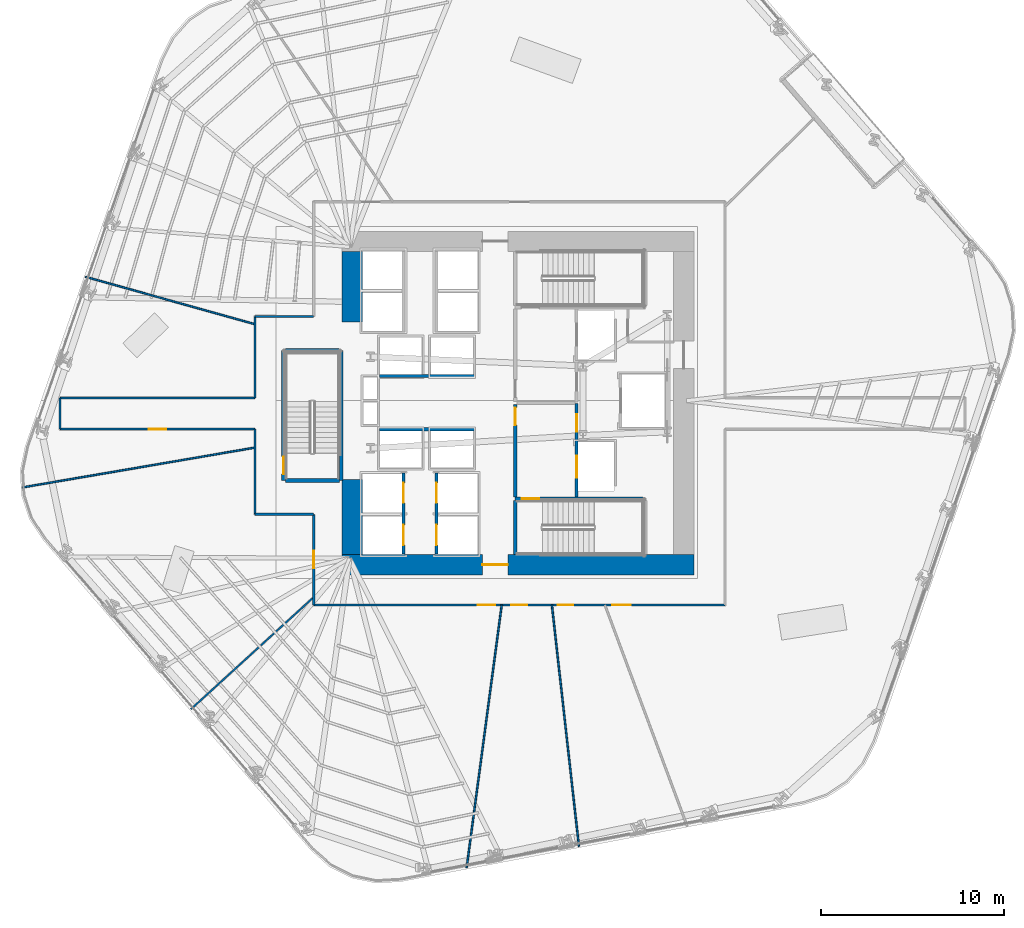
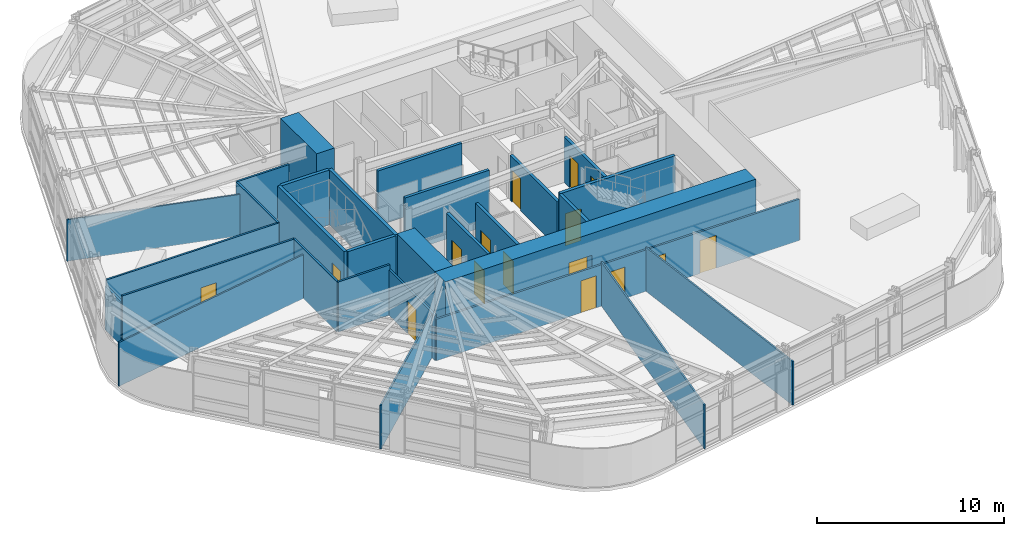
# One storey, part 9 of 18: 29 walls, 16 doors, 16 openings.
"""IFC4 building model written with IfcOpenShell, lengths in metres."""

from ifc_helpers import new_model, si_unit, direction, frame, frame_2d, origin, place, context, subcontext, project, spatial, rectangle, extrude, material, layer, layer_set, type_object, element, fill, save


model = new_model("IFC4")

# Units and contexts
model_context = context("Model", 3, precision=1e-05, world=origin(), true_north=direction((0.0, 1.0)))
body_context = subcontext(model_context, "Body", "Model", "MODEL_VIEW")
ifc_project = project(units=[si_unit("LENGTHUNIT", "METRE"), si_unit("AREAUNIT", "SQUARE_METRE"), si_unit("VOLUMEUNIT", "CUBIC_METRE"), si_unit("PLANEANGLEUNIT", "RADIAN"), si_unit("MASSUNIT", "GRAM", prefix="KILO")], contexts=[model_context])

# Site, building, storey
site_placement = place(None, origin())
site = spatial("IfcSite", under=ifc_project, at=site_placement, CompositionType="ELEMENT")
building_placement = place(site_placement, origin())
building = spatial("IfcBuilding", under=site, at=building_placement, Name="Valkerne Bourse Tower", CompositionType="ELEMENT")
storey_placement = place(building_placement, frame((0.0, 0.0, 69.60009765625)))
storey = spatial("IfcBuildingStorey", under=building, at=storey_placement, Name="L17", CompositionType="ELEMENT", Elevation=69.60009765625)

# Wall, opening, door
ifc_material_1 = material(Name="Concrete C70/85", Category="concrete")
ifc_layer_1 = layer(ifc_material_1, 1.10009765625)
ifc_layer_set_1 = layer_set([ifc_layer_1], Name="Concrete C70/85")
wall_type_1 = type_object("IfcWallType", Name="W-CORE-1100", PredefinedType="SHEAR", material=ifc_layer_set_1)
wall_1_placement = place(storey_placement, frame((37.199951171875, 18.050048828125, 0.0), z_axis=(0.0, 0.0, 1.0), x_axis=(1.0, 0.0, 0.0)))
wall_1 = element("IfcWall", 1, at=wall_1_placement, inside=storey, type_object=wall_type_1, Name="L17 Core Shear Wall SOUTH", PredefinedType="SHEAR", context=body_context, shape_type="SweptSolid", body=[
    extrude(rectangle(XDim=19.199951171875, YDim=1.10009765625, at=frame_2d((9.60009765625, 0.0))), origin(), (0.0, 0.0, 1.0), 3.579833984375),
])
opening_1_placement = place(wall_1_placement, frame((7.64990234375, 0.0, 0.0)))
opening_1 = element("IfcOpeningElement", 2, at=opening_1_placement, cuts=wall_1, Name="Opening D-PL-1400", PredefinedType="OPENING", context=body_context, shape_type="SweptSolid", body=[
    extrude(rectangle(XDim=1.39990234375, YDim=2.14990234375, at=frame_2d((0.699951171875, 1.074951171875))), frame((0.0, 0.56005859375, 0.0), z_axis=(0.0, -1.0, 0.0), x_axis=(1.0, 0.0, 0.0)), (0.0, 0.0, 1.0), 1.1201171875),
])
ifc_material_2 = material(Name="Galvanised Painted Steel", Category="steel")
door_type_1 = type_object("IfcDoorType", Name="DR-PLT-1400", OperationType="DOUBLE_DOOR_SINGLE_SWING", PredefinedType="DOOR", material=ifc_material_2)
door_1_placement = place(opening_1_placement, origin())
door_1 = element("IfcDoor", 3, at=door_1_placement, inside=storey, type_object=door_type_1, Name="L17 South Passenger Lift Hall Fire Door", OperationType="DOUBLE_DOOR_SINGLE_SWING", OverallHeight=2.14990234375, OverallWidth=1.39990234375, PredefinedType="DOOR", context=body_context, shape_type="SweptSolid", body=[
    extrude(rectangle(XDim=1.39990234375, YDim=2.14990234375, at=frame_2d((0.699951171875, 1.074951171875))), frame((0.0, 0.02490234375, 0.0), z_axis=(0.0, -1.0, 0.0), x_axis=(1.0, 0.0, 0.0)), (0.0, 0.0, 1.0), 0.050048828125),
])
fill(opening_1, door_1)

# Walls
wall_2_placement = place(storey_placement, frame((37.75, 18.60009765625, 0.0), z_axis=(0.0, 0.0, 1.0), x_axis=(0.0, 1.0, 0.0)))
element("IfcWall", 4, at=wall_2_placement, inside=storey, type_object=wall_type_1, Name="L17 Core Shear Wall WEST-S", PredefinedType="SHEAR", context=body_context, shape_type="SweptSolid", body=[
    extrude(rectangle(XDim=4.099853515625, YDim=1.10009765625, at=frame_2d((2.0498046875, 0.0))), origin(), (0.0, 0.0, 1.0), 3.579833984375),
])
wall_3_placement = place(storey_placement, frame((37.75, 31.300048828125, 0.0), z_axis=(0.0, 0.0, 1.0), x_axis=(0.0, 1.0, 0.0)))
element("IfcWall", 5, at=wall_3_placement, inside=storey, type_object=wall_type_1, Name="L17 Core Shear Wall WEST-N", PredefinedType="SHEAR", context=body_context, shape_type="SweptSolid", body=[
    extrude(rectangle(XDim=3.849853515625, YDim=1.10009765625, at=frame_2d((1.9248046875, 0.0))), origin(), (0.0, 0.0, 1.0), 3.579833984375),
])

# Wall, openings, doors
ifc_material_3 = material(Name="Gypsum Board Steel-Stud Partition", Category="steel")
ifc_layer_2 = layer(ifc_material_3, 0.117919921875)
ifc_layer_set_2 = layer_set([ifc_layer_2], Name="Gypsum Board Steel-Stud Partition")
wall_type_2 = type_object("IfcWallType", Name="W-CORR-140", PredefinedType="PARTITIONING", material=ifc_layer_set_2)
wall_4_placement = place(storey_placement, frame((58.10009765625, 15.85009765625, 0.0), z_axis=(0.0, 0.0, 1.0), x_axis=(-1.0, 0.0, 0.0)))
wall_4 = element("IfcWall", 6, at=wall_4_placement, inside=storey, type_object=wall_type_2, Name="L17 Corridor Enclosure Wall", PredefinedType="PARTITIONING", context=body_context, shape_type="SweptSolid", body=[
    extrude(rectangle(XDim=22.4501953125, YDim=0.117919921875, at=frame_2d((11.22509765625, 0.0))), origin(), (0.0, 0.0, 1.0), 2.71142578125),
])
opening_2_placement = place(wall_4_placement, frame((8.27490234375, 0.0, 0.0)))
opening_2 = element("IfcOpeningElement", 7, at=opening_2_placement, cuts=wall_4, Name="Opening D-WC-900", PredefinedType="OPENING", context=body_context, shape_type="SweptSolid", body=[
    extrude(rectangle(XDim=0.860107421875, YDim=2.050048828125, at=frame_2d((0.43017578125, 1.02490234375))), frame((0.0, 0.06884765625, 0.0), z_axis=(0.0, -1.0, 0.0), x_axis=(1.0, 0.0, 0.0)), (0.0, 0.0, 1.0), 0.137939453125),
])
opening_3_placement = place(wall_4_placement, frame((10.794921875, 0.0, 0.0)))
opening_3 = element("IfcOpeningElement", 8, at=opening_3_placement, cuts=wall_4, Name="Opening D-WC-900", PredefinedType="OPENING", context=body_context, shape_type="SweptSolid", body=[
    extrude(rectangle(XDim=0.860107421875, YDim=2.050048828125, at=frame_2d((0.43017578125, 1.02490234375))), frame((0.0, 0.06884765625, 0.0), z_axis=(0.0, -1.0, 0.0), x_axis=(1.0, 0.0, 0.0)), (0.0, 0.0, 1.0), 0.137939453125),
])
opening_4_placement = place(wall_4_placement, frame((12.550048828125, 0.0, 0.0)))
opening_4 = element("IfcOpeningElement", 9, at=opening_4_placement, cuts=wall_4, Name="Opening D-OF-950", PredefinedType="OPENING", context=body_context, shape_type="SweptSolid", body=[
    extrude(rectangle(XDim=0.949951171875, YDim=2.10009765625, at=frame_2d((0.47509765625, 1.050048828125))), frame((0.0, 0.06884765625, 0.0), z_axis=(0.0, -1.0, 0.0), x_axis=(1.0, 0.0, 0.0)), (0.0, 0.0, 1.0), 0.137939453125),
])
opening_5_placement = place(wall_4_placement, frame((5.14501953125, 0.0, 0.0)))
opening_5 = element("IfcOpeningElement", 10, at=opening_5_placement, cuts=wall_4, Name="Opening D-MG-1000", PredefinedType="OPENING", context=body_context, shape_type="SweptSolid", body=[
    extrude(rectangle(XDim=1.0, YDim=2.14990234375, at=frame_2d((0.5, 1.074951171875))), frame((0.0, 0.06884765625, 0.0), z_axis=(0.0, -1.0, 0.0), x_axis=(1.0, 0.0, 0.0)), (0.0, 0.0, 1.0), 0.137939453125),
])
ifc_material_4 = material(Name="Laminated Tempered Safety Glass", Category="glass")
door_type_2 = type_object("IfcDoorType", Name="DR-MTG-1000", OperationType="NOTDEFINED", PredefinedType="DOOR", material=ifc_material_4)
door_2_placement = place(opening_5_placement, origin())
door_2 = element("IfcDoor", 11, at=door_2_placement, inside=storey, type_object=door_type_2, Name="L17 L17 Client Strategy Conference Room 8 Door", OperationType="SINGLE_SWING_LEFT", OverallHeight=2.14990234375, OverallWidth=1.0, PredefinedType="DOOR", context=body_context, shape_type="SweptSolid", body=[
    extrude(rectangle(XDim=1.0, YDim=2.14990234375, at=frame_2d((0.5, 1.074951171875))), frame((0.0, 0.02490234375, 0.0), z_axis=(0.0, -1.0, 0.0), x_axis=(1.0, 0.0, 0.0)), (0.0, 0.0, 1.0), 0.050048828125),
])
fill(opening_5, door_2)
ifc_material_5 = material(Name="Architectural White Oak Timber", Category="wood")
door_type_3 = type_object("IfcDoorType", Name="DR-OFF-950", OperationType="NOTDEFINED", PredefinedType="DOOR", material=ifc_material_5)
door_3_placement = place(opening_4_placement, origin())
door_3 = element("IfcDoor", 12, at=door_3_placement, inside=storey, type_object=door_type_3, Name="L17 L17 Hospitality Catering Kitchen 6 Door", OperationType="SINGLE_SWING_LEFT", OverallHeight=2.10009765625, OverallWidth=0.949951171875, PredefinedType="DOOR", context=body_context, shape_type="SweptSolid", body=[
    extrude(rectangle(XDim=0.949951171875, YDim=2.10009765625, at=frame_2d((0.47509765625, 1.050048828125))), frame((0.0, 0.02490234375, 0.0), z_axis=(0.0, -1.0, 0.0), x_axis=(1.0, 0.0, 0.0)), (0.0, 0.0, 1.0), 0.050048828125),
])
fill(opening_4, door_3)
door_type_4 = type_object("IfcDoorType", Name="DR-WC-900", OperationType="NOTDEFINED", PredefinedType="DOOR", material=ifc_material_5)
door_4_placement = place(opening_2_placement, origin())
door_4 = element("IfcDoor", 13, at=door_4_placement, inside=storey, type_object=door_type_4, Name="L17 L17 Men Bathroom WC 1 Door", OperationType="SINGLE_SWING_RIGHT", OverallHeight=2.050048828125, OverallWidth=0.860107421875, PredefinedType="DOOR", context=body_context, shape_type="SweptSolid", body=[
    extrude(rectangle(XDim=0.860107421875, YDim=2.050048828125, at=frame_2d((0.43017578125, 1.02490234375))), frame((0.0, 0.02490234375, 0.0), z_axis=(0.0, -1.0, 0.0), x_axis=(1.0, 0.0, 0.0)), (0.0, 0.0, 1.0), 0.050048828125),
])
fill(opening_2, door_4)
door_5_placement = place(opening_3_placement, origin())
door_5 = element("IfcDoor", 14, at=door_5_placement, inside=storey, type_object=door_type_4, Name="L17 L17 Women Restroom & Shower WC 2 Door", OperationType="SINGLE_SWING_LEFT", OverallHeight=2.050048828125, OverallWidth=0.860107421875, PredefinedType="DOOR", context=body_context, shape_type="SweptSolid", body=[
    extrude(rectangle(XDim=0.860107421875, YDim=2.050048828125, at=frame_2d((0.43017578125, 1.02490234375))), frame((0.0, 0.02490234375, 0.0), z_axis=(0.0, -1.0, 0.0), x_axis=(1.0, 0.0, 0.0)), (0.0, 0.0, 1.0), 0.050048828125),
])
fill(opening_3, door_5)

# Wall, opening, door
wall_5_placement = place(storey_placement, frame((35.64990234375, 15.85009765625, 0.0), z_axis=(0.0, 0.0, 1.0), x_axis=(0.0, 1.0, 0.0)))
wall_5 = element("IfcWall", 15, at=wall_5_placement, inside=storey, type_object=wall_type_2, Name="L17 Corridor Enclosure Wall", PredefinedType="PARTITIONING", context=body_context, shape_type="SweptSolid", body=[
    extrude(rectangle(XDim=4.949951171875, YDim=0.117919921875, at=frame_2d((2.47509765625, 0.0))), origin(), (0.0, 0.0, 1.0), 2.962890625),
])
opening_6_placement = place(wall_5_placement, frame((2.0, 0.0, 0.0)))
opening_6 = element("IfcOpeningElement", 16, at=opening_6_placement, cuts=wall_5, Name="Opening D-OF-950", PredefinedType="OPENING", context=body_context, shape_type="SweptSolid", body=[
    extrude(rectangle(XDim=0.949951171875, YDim=2.10009765625, at=frame_2d((0.47509765625, 1.050048828125))), frame((0.0, 0.06884765625, 0.0), z_axis=(0.0, -1.0, 0.0), x_axis=(1.0, 0.0, 0.0)), (0.0, 0.0, 1.0), 0.137939453125),
])
door_6_placement = place(opening_6_placement, origin())
door_6 = element("IfcDoor", 17, at=door_6_placement, inside=storey, type_object=door_type_3, Name="L17 L17 VIP Client Concierge Reception 4 Door", OperationType="SINGLE_SWING_LEFT", OverallHeight=2.10009765625, OverallWidth=0.949951171875, PredefinedType="DOOR", context=body_context, shape_type="SweptSolid", body=[
    extrude(rectangle(XDim=0.949951171875, YDim=2.10009765625, at=frame_2d((0.47509765625, 1.050048828125))), frame((0.0, 0.02490234375, 0.0), z_axis=(0.0, -1.0, 0.0), x_axis=(1.0, 0.0, 0.0)), (0.0, 0.0, 1.0), 0.050048828125),
])
fill(opening_6, door_6)

# Walls
wall_6_placement = place(storey_placement, frame((35.64990234375, 20.800048828125, 0.0), z_axis=(0.0, 0.0, 1.0), x_axis=(-1.0, 0.0, 0.0)))
element("IfcWall", 18, at=wall_6_placement, inside=storey, type_object=wall_type_2, Name="L17 Corridor Enclosure Wall", PredefinedType="PARTITIONING", context=body_context, shape_type="SweptSolid", body=[
    extrude(rectangle(XDim=3.199951171875, YDim=0.117919921875, at=frame_2d((1.60009765625, 0.0))), origin(), (0.0, 0.0, 1.0), 3.27978515625),
])
wall_7_placement = place(storey_placement, frame((32.449951171875, 20.800048828125, 0.0), z_axis=(0.0, 0.0, 1.0), x_axis=(0.0, 1.0, 0.0)))
element("IfcWall", 19, at=wall_7_placement, inside=storey, type_object=wall_type_2, Name="L17 Corridor Enclosure Wall", PredefinedType="PARTITIONING", context=body_context, shape_type="SweptSolid", body=[
    extrude(rectangle(XDim=4.64990234375, YDim=0.117919921875, at=frame_2d((2.324951171875, 0.0))), origin(), (0.0, 0.0, 1.0), 3.27978515625),
])

# Wall, opening, door
wall_8_placement = place(storey_placement, frame((32.449951171875, 25.449951171875, 0.0), z_axis=(0.0, 0.0, 1.0), x_axis=(-1.0, 0.0, 0.0)))
wall_8 = element("IfcWall", 20, at=wall_8_placement, inside=storey, type_object=wall_type_2, Name="L17 Corridor Enclosure Wall", PredefinedType="PARTITIONING", context=body_context, shape_type="SweptSolid", body=[
    extrude(rectangle(XDim=10.64990234375, YDim=0.117919921875, at=frame_2d((5.324951171875, 0.0))), origin(), (0.0, 0.0, 1.0), 3.27978515625),
])
opening_7_placement = place(wall_8_placement, frame((4.85009765625, 0.0, 0.0)))
opening_7 = element("IfcOpeningElement", 21, at=opening_7_placement, cuts=wall_8, Name="Opening D-OF-950", PredefinedType="OPENING", context=body_context, shape_type="SweptSolid", body=[
    extrude(rectangle(XDim=0.949951171875, YDim=2.10009765625, at=frame_2d((0.47509765625, 1.050048828125))), frame((0.0, 0.06884765625, 0.0), z_axis=(0.0, -1.0, 0.0), x_axis=(1.0, 0.0, 0.0)), (0.0, 0.0, 1.0), 0.137939453125),
])
door_7_placement = place(opening_7_placement, origin())
door_7 = element("IfcDoor", 22, at=door_7_placement, inside=storey, type_object=door_type_3, Name="L17 L17 VIP Client Concierge Reception 3 Door", OperationType="SINGLE_SWING_LEFT", OverallHeight=2.10009765625, OverallWidth=0.949951171875, PredefinedType="DOOR", context=body_context, shape_type="SweptSolid", body=[
    extrude(rectangle(XDim=0.949951171875, YDim=2.10009765625, at=frame_2d((0.47509765625, 1.050048828125))), frame((0.0, 0.02490234375, 0.0), z_axis=(0.0, -1.0, 0.0), x_axis=(1.0, 0.0, 0.0)), (0.0, 0.0, 1.0), 0.050048828125),
])
fill(opening_7, door_7)

# Walls
wall_9_placement = place(storey_placement, frame((21.800048828125, 25.449951171875, 0.0), z_axis=(0.0, 0.0, 1.0), x_axis=(0.0, 1.0, 0.0)))
element("IfcWall", 23, at=wall_9_placement, inside=storey, type_object=wall_type_2, Name="L17 Corridor Enclosure Wall", PredefinedType="PARTITIONING", context=body_context, shape_type="SweptSolid", body=[
    extrude(rectangle(XDim=1.699951171875, YDim=0.117919921875, at=frame_2d((0.85009765625, 0.0))), origin(), (0.0, 0.0, 1.0), 2.86376953125),
])
wall_10_placement = place(storey_placement, frame((21.800048828125, 27.14990234375, 0.0), z_axis=(0.0, 0.0, 1.0), x_axis=(1.0, 0.0, 0.0)))
element("IfcWall", 24, at=wall_10_placement, inside=storey, type_object=wall_type_2, Name="L17 Corridor Enclosure Wall", PredefinedType="PARTITIONING", context=body_context, shape_type="SweptSolid", body=[
    extrude(rectangle(XDim=10.64990234375, YDim=0.117919921875, at=frame_2d((5.324951171875, 0.0))), origin(), (0.0, 0.0, 1.0), 3.27978515625),
])
wall_11_placement = place(storey_placement, frame((32.449951171875, 27.14990234375, 0.0), z_axis=(0.0, 0.0, 1.0), x_axis=(0.0, 1.0, 0.0)))
element("IfcWall", 25, at=wall_11_placement, inside=storey, type_object=wall_type_2, Name="L17 Corridor Enclosure Wall", PredefinedType="PARTITIONING", context=body_context, shape_type="SweptSolid", body=[
    extrude(rectangle(XDim=4.4501953125, YDim=0.117919921875, at=frame_2d((2.22509765625, 0.0))), origin(), (0.0, 0.0, 1.0), 3.27978515625),
])
wall_12_placement = place(storey_placement, frame((32.449951171875, 31.60009765625, 0.0), z_axis=(0.0, 0.0, 1.0), x_axis=(1.0, 0.0, 0.0)))
element("IfcWall", 26, at=wall_12_placement, inside=storey, type_object=wall_type_2, Name="L17 Corridor Enclosure Wall", PredefinedType="PARTITIONING", context=body_context, shape_type="SweptSolid", body=[
    extrude(rectangle(XDim=3.199951171875, YDim=0.117919921875, at=frame_2d((1.60009765625, 0.0))), origin(), (0.0, 0.0, 1.0), 3.27978515625),
])

# Wall, opening, door
ifc_material_6 = material(Name="Gypsum Fire-Rated Shaftwall", Category="gypsum")
ifc_layer_3 = layer(ifc_material_6, 0.179931640625)
ifc_layer_set_3 = layer_set([ifc_layer_3], Name="Gypsum Fire-Rated Shaftwall")
wall_type_3 = type_object("IfcWallType", Name="W-FSAE-180", PredefinedType="PARTITIONING", material=ifc_layer_set_3)
wall_13_placement = place(storey_placement, frame((46.64990234375, 21.75, 0.0), z_axis=(0.0, 0.0, 1.0), x_axis=(0.0, 1.0, 0.0)))
wall_13 = element("IfcWall", 27, at=wall_13_placement, inside=storey, type_object=wall_type_3, Name="L17 FSAE-1 Lobby West Fire Wall", PredefinedType="PARTITIONING", context=body_context, shape_type="SweptSolid", body=[
    extrude(rectangle(XDim=5.050048828125, YDim=0.179931640625, at=frame_2d((2.52490234375, 0.0))), origin(), (0.0, 0.0, 1.0), 2.957763671875),
])
opening_8_placement = place(wall_13_placement, frame((3.919921875, 0.0, 0.0)))
opening_8 = element("IfcOpeningElement", 28, at=opening_8_placement, cuts=wall_13, Name="Opening D-FS-950", PredefinedType="OPENING", context=body_context, shape_type="SweptSolid", body=[
    extrude(rectangle(XDim=0.949951171875, YDim=2.10009765625, at=frame_2d((0.47509765625, 1.050048828125))), frame((0.0, 0.099853515625, 0.0), z_axis=(0.0, -1.0, 0.0), x_axis=(1.0, 0.0, 0.0)), (0.0, 0.0, 1.0), 0.199951171875),
])
door_type_5 = type_object("IfcDoorType", Name="DR-FSAE-950", OperationType="NOTDEFINED", PredefinedType="DOOR", material=ifc_material_2)
door_8_placement = place(opening_8_placement, origin())
door_8 = element("IfcDoor", 29, at=door_8_placement, inside=storey, type_object=door_type_5, Name="L17 FSAE-1 Hall Link Fire Door", OperationType="SINGLE_SWING_RIGHT", OverallHeight=2.10009765625, OverallWidth=0.949951171875, PredefinedType="DOOR", context=body_context, shape_type="SweptSolid", body=[
    extrude(rectangle(XDim=0.949951171875, YDim=2.10009765625, at=frame_2d((0.47509765625, 1.050048828125))), frame((0.0, 0.02490234375, 0.0), z_axis=(0.0, -1.0, 0.0), x_axis=(1.0, 0.0, 0.0)), (0.0, 0.0, 1.0), 0.050048828125),
])
fill(opening_8, door_8)

# Wall, openings, doors
wall_14_placement = place(storey_placement, frame((50.0, 21.75, 0.0), z_axis=(0.0, 0.0, 1.0), x_axis=(0.0, 1.0, 0.0)))
wall_14 = element("IfcWall", 30, at=wall_14_placement, inside=storey, type_object=wall_type_3, Name="L17 FSAE-1 Lobby & Shaft Front Wall", PredefinedType="PARTITIONING", context=body_context, shape_type="SweptSolid", body=[
    extrude(rectangle(XDim=5.090087890625, YDim=0.179931640625, at=frame_2d((2.544921875, 0.0))), origin(), (0.0, 0.0, 1.0), 2.957763671875),
])
opening_9_placement = place(wall_14_placement, frame((1.050048828125, 0.0, 0.0)))
opening_9 = element("IfcOpeningElement", 31, at=opening_9_placement, cuts=wall_14, Name="Opening LD-1200", PredefinedType="OPENING", context=body_context, shape_type="SweptSolid", body=[
    extrude(rectangle(XDim=1.199951171875, YDim=2.14990234375, at=frame_2d((0.60009765625, 1.074951171875))), frame((0.0, 0.099853515625, 0.0), z_axis=(0.0, -1.0, 0.0), x_axis=(1.0, 0.0, 0.0)), (0.0, 0.0, 1.0), 0.199951171875),
])
opening_10_placement = place(wall_14_placement, frame((3.550048828125, 0.0, 0.0)))
opening_10 = element("IfcOpeningElement", 32, at=opening_10_placement, cuts=wall_14, Name="Opening D-FS-950", PredefinedType="OPENING", context=body_context, shape_type="SweptSolid", body=[
    extrude(rectangle(XDim=0.949951171875, YDim=2.10009765625, at=frame_2d((0.47509765625, 1.050048828125))), frame((0.0, 0.099853515625, 0.0), z_axis=(0.0, -1.0, 0.0), x_axis=(1.0, 0.0, 0.0)), (0.0, 0.0, 1.0), 0.199951171875),
])
door_9_placement = place(opening_10_placement, origin())
door_9 = element("IfcDoor", 33, at=door_9_placement, inside=storey, type_object=door_type_5, Name="L17 FSAE-1 Lobby Corridor Fire Door", OperationType="SINGLE_SWING_RIGHT", OverallHeight=2.10009765625, OverallWidth=0.949951171875, PredefinedType="DOOR", context=body_context, shape_type="SweptSolid", body=[
    extrude(rectangle(XDim=0.949951171875, YDim=2.10009765625, at=frame_2d((0.47509765625, 1.050048828125))), frame((0.0, 0.02490234375, 0.0), z_axis=(0.0, -1.0, 0.0), x_axis=(1.0, 0.0, 0.0)), (0.0, 0.0, 1.0), 0.050048828125),
])
fill(opening_10, door_9)
ifc_material_7 = material(Name="Stainless Steel AISI 316", Category="steel")
door_type_6 = type_object("IfcDoorType", Name="DR-LIFT-1200", OperationType="DOUBLE_DOOR_SLIDING", PredefinedType="DOOR", material=ifc_material_7)
door_10_placement = place(opening_9_placement, origin())
door_10 = element("IfcDoor", 34, at=door_10_placement, inside=storey, type_object=door_type_6, Name="L17 FSAE-1 Firefighting Lift Landing Door", OperationType="DOUBLE_DOOR_SLIDING", OverallHeight=2.14990234375, OverallWidth=1.199951171875, PredefinedType="DOOR", context=body_context, shape_type="SweptSolid", body=[
    extrude(rectangle(XDim=1.199951171875, YDim=2.14990234375, at=frame_2d((0.60009765625, 1.074951171875))), frame((0.0, 0.02490234375, 0.0), z_axis=(0.0, -1.0, 0.0), x_axis=(1.0, 0.0, 0.0)), (0.0, 0.0, 1.0), 0.050048828125),
])
fill(opening_9, door_10)

ifc_material_8 = material(Name="CMU Blockwork Masonry 200mm", Category="masonry")
ifc_layer_4 = layer(ifc_material_8, 0.179931640625)
ifc_layer_set_4 = layer_set([ifc_layer_4], Name="CMU Blockwork Masonry 200mm")
wall_type_4 = type_object("IfcWallType", Name="W-LFT-180", PredefinedType="SOLIDWALL", material=ifc_layer_set_4)
wall_15_placement = place(storey_placement, frame((40.550048828125, 18.6201171875, 0.0), z_axis=(0.0, 0.0, 1.0), x_axis=(0.0, 1.0, 0.0)))
wall_15 = element("IfcWall", 35, at=wall_15_placement, inside=storey, type_object=wall_type_4, Name="L17 Low-Zone West Cars Front Wall", PredefinedType="SOLIDWALL", context=body_context, shape_type="SweptSolid", body=[
    extrude(rectangle(XDim=4.429931640625, YDim=0.179931640625, at=frame_2d((2.21484375, 0.0))), origin(), (0.0, 0.0, 1.0), 3.579833984375),
])
opening_11_placement = place(wall_15_placement, frame((0.5, 0.0, 0.0)))
opening_11 = element("IfcOpeningElement", 36, at=opening_11_placement, cuts=wall_15, Name="Opening LD-1100", PredefinedType="OPENING", context=body_context, shape_type="SweptSolid", body=[
    extrude(rectangle(XDim=1.10009765625, YDim=2.14990234375, at=frame_2d((0.550048828125, 1.074951171875))), frame((0.0, 0.099853515625, 0.0), z_axis=(0.0, -1.0, 0.0), x_axis=(1.0, 0.0, 0.0)), (0.0, 0.0, 1.0), 0.199951171875),
])
opening_12_placement = place(wall_15_placement, frame((2.800048828125, 0.0, 0.0)))
opening_12 = element("IfcOpeningElement", 37, at=opening_12_placement, cuts=wall_15, Name="Opening LD-1100", PredefinedType="OPENING", context=body_context, shape_type="SweptSolid", body=[
    extrude(rectangle(XDim=1.10009765625, YDim=2.14990234375, at=frame_2d((0.550048828125, 1.074951171875))), frame((0.0, 0.099853515625, 0.0), z_axis=(0.0, -1.0, 0.0), x_axis=(1.0, 0.0, 0.0)), (0.0, 0.0, 1.0), 0.199951171875),
])
door_type_7 = type_object("IfcDoorType", Name="DR-LIFT-1100", OperationType="DOUBLE_DOOR_SLIDING", PredefinedType="DOOR", material=ifc_material_7)
door_11_placement = place(opening_11_placement, origin())
door_11 = element("IfcDoor", 38, at=door_11_placement, inside=storey, type_object=door_type_7, Name="L17 Passenger Lift PL-L1 Sliding Landing Door", OperationType="DOUBLE_DOOR_SLIDING", OverallHeight=2.14990234375, OverallWidth=1.10009765625, PredefinedType="DOOR", context=body_context, shape_type="SweptSolid", body=[
    extrude(rectangle(XDim=1.10009765625, YDim=2.14990234375, at=frame_2d((0.550048828125, 1.074951171875))), frame((0.0, 0.02490234375, 0.0), z_axis=(0.0, -1.0, 0.0), x_axis=(1.0, 0.0, 0.0)), (0.0, 0.0, 1.0), 0.050048828125),
])
fill(opening_11, door_11)
door_12_placement = place(opening_12_placement, origin())
door_12 = element("IfcDoor", 39, at=door_12_placement, inside=storey, type_object=door_type_7, Name="L17 Passenger Lift PL-L2 Sliding Landing Door", OperationType="DOUBLE_DOOR_SLIDING", OverallHeight=2.14990234375, OverallWidth=1.10009765625, PredefinedType="DOOR", context=body_context, shape_type="SweptSolid", body=[
    extrude(rectangle(XDim=1.10009765625, YDim=2.14990234375, at=frame_2d((0.550048828125, 1.074951171875))), frame((0.0, 0.02490234375, 0.0), z_axis=(0.0, -1.0, 0.0), x_axis=(1.0, 0.0, 0.0)), (0.0, 0.0, 1.0), 0.050048828125),
])
fill(opening_12, door_12)

wall_16_placement = place(storey_placement, frame((42.35009765625, 18.6201171875, 0.0), z_axis=(0.0, 0.0, 1.0), x_axis=(0.0, 1.0, 0.0)))
wall_16 = element("IfcWall", 40, at=wall_16_placement, inside=storey, type_object=wall_type_4, Name="L17 Low-Zone East Cars Front Wall", PredefinedType="SOLIDWALL", context=body_context, shape_type="SweptSolid", body=[
    extrude(rectangle(XDim=4.429931640625, YDim=0.179931640625, at=frame_2d((2.21484375, 0.0))), origin(), (0.0, 0.0, 1.0), 3.579833984375),
])
opening_13_placement = place(wall_16_placement, frame((0.5, 0.0, 0.0)))
opening_13 = element("IfcOpeningElement", 41, at=opening_13_placement, cuts=wall_16, Name="Opening LD-1100", PredefinedType="OPENING", context=body_context, shape_type="SweptSolid", body=[
    extrude(rectangle(XDim=1.10009765625, YDim=2.14990234375, at=frame_2d((0.550048828125, 1.074951171875))), frame((0.0, 0.099853515625, 0.0), z_axis=(0.0, -1.0, 0.0), x_axis=(1.0, 0.0, 0.0)), (0.0, 0.0, 1.0), 0.199951171875),
])
opening_14_placement = place(wall_16_placement, frame((2.800048828125, 0.0, 0.0)))
opening_14 = element("IfcOpeningElement", 42, at=opening_14_placement, cuts=wall_16, Name="Opening LD-1100", PredefinedType="OPENING", context=body_context, shape_type="SweptSolid", body=[
    extrude(rectangle(XDim=1.10009765625, YDim=2.14990234375, at=frame_2d((0.550048828125, 1.074951171875))), frame((0.0, 0.099853515625, 0.0), z_axis=(0.0, -1.0, 0.0), x_axis=(1.0, 0.0, 0.0)), (0.0, 0.0, 1.0), 0.199951171875),
])
door_13_placement = place(opening_13_placement, origin())
door_13 = element("IfcDoor", 43, at=door_13_placement, inside=storey, type_object=door_type_7, Name="L17 Passenger Lift PL-L3 Sliding Landing Door", OperationType="DOUBLE_DOOR_SLIDING", OverallHeight=2.14990234375, OverallWidth=1.10009765625, PredefinedType="DOOR", context=body_context, shape_type="SweptSolid", body=[
    extrude(rectangle(XDim=1.10009765625, YDim=2.14990234375, at=frame_2d((0.550048828125, 1.074951171875))), frame((0.0, 0.02490234375, 0.0), z_axis=(0.0, -1.0, 0.0), x_axis=(1.0, 0.0, 0.0)), (0.0, 0.0, 1.0), 0.050048828125),
])
fill(opening_13, door_13)
door_14_placement = place(opening_14_placement, origin())
door_14 = element("IfcDoor", 44, at=door_14_placement, inside=storey, type_object=door_type_7, Name="L17 Passenger Lift PL-L4 Sliding Landing Door", OperationType="DOUBLE_DOOR_SLIDING", OverallHeight=2.14990234375, OverallWidth=1.10009765625, PredefinedType="DOOR", context=body_context, shape_type="SweptSolid", body=[
    extrude(rectangle(XDim=1.10009765625, YDim=2.14990234375, at=frame_2d((0.550048828125, 1.074951171875))), frame((0.0, 0.02490234375, 0.0), z_axis=(0.0, -1.0, 0.0), x_axis=(1.0, 0.0, 0.0)), (0.0, 0.0, 1.0), 0.050048828125),
])
fill(opening_14, door_14)

# Walls
for number, where, z_axis, x_axis, name in (
    (45, (39.25, 25.449951171875, 0.0), (0.0, 0.0, 1.0), (1.0, 0.0, 0.0), "L17 High-Zone South Cars Front Wall"),
    (46, (39.25, 28.35009765625, 0.0), (0.0, 0.0, 1.0), (1.0, 0.0, 0.0), "L17 High-Zone North Cars Front Wall"),
):
    element("IfcWall", number, at=place(storey_placement, frame(where, z_axis=z_axis, x_axis=x_axis)), inside=storey, type_object=wall_type_4, Name=name, PredefinedType="SOLIDWALL", context=body_context, shape_type="SweptSolid", body=[
        extrude(rectangle(XDim=5.199951171875, YDim=0.179931640625, at=frame_2d((2.60009765625, 0.0))), origin(), (0.0, 0.0, 1.0), 3.579833984375),
    ])
ifc_layer_5 = layer(ifc_material_3, 0.092041015625)
ifc_layer_set_5 = layer_set([ifc_layer_5], Name="Gypsum Board Steel-Stud Partition")
wall_type_5 = type_object("IfcWallType", Name="W-PART-115", PredefinedType="PARTITIONING", material=ifc_layer_set_5)
wall_17_placement = place(storey_placement, frame((45.91162109375, 15.844970703125, 0.0), z_axis=(0.0, 0.0, 1.0), x_axis=(-0.132257632125, -0.99121537455, 0.0)))
element("IfcWall", 47, at=wall_17_placement, inside=storey, type_object=wall_type_5, Name="L17 Suite Partition P01", PredefinedType="PARTITIONING", context=body_context, shape_type="SweptSolid", body=[
    extrude(rectangle(XDim=14.47412109375, YDim=0.092041015625, at=frame_2d((7.237060546875, 0.0))), origin(), (0.0, 0.0, 1.0), 2.86376953125),
])
wall_18_placement = place(storey_placement, frame((48.651123046875, 15.844970703125, 0.0), z_axis=(0.0, 0.0, 1.0), x_axis=(0.111484312884, -0.993766193821, 0.0)))
element("IfcWall", 48, at=wall_18_placement, inside=storey, type_object=wall_type_5, Name="L17 Suite Partition P02", PredefinedType="PARTITIONING", context=body_context, shape_type="SweptSolid", body=[
    extrude(rectangle(XDim=13.260009765625, YDim=0.092041015625, at=frame_2d((6.6298828125, 0.0))), origin(), (0.0, 0.0, 1.0), 2.86376953125),
])
wall_19_placement = place(storey_placement, frame((32.445068359375, 31.177490234375, 0.0), z_axis=(0.0, 0.0, 1.0), x_axis=(-0.963123942836, 0.269058117765, 0.0)))
element("IfcWall", 49, at=wall_19_placement, inside=storey, type_object=wall_type_5, Name="L17 Suite Partition P06", PredefinedType="PARTITIONING", context=body_context, shape_type="SweptSolid", body=[
    extrude(rectangle(XDim=9.61376953125, YDim=0.092041015625, at=frame_2d((4.806884765625, 0.0))), origin(), (0.0, 0.0, 1.0), 2.71142578125),
])
wall_20_placement = place(storey_placement, frame((32.445068359375, 24.440673828125, 0.0), z_axis=(0.0, 0.0, 1.0), x_axis=(-0.985671142223, -0.168678390405, 0.0)))
element("IfcWall", 50, at=wall_20_placement, inside=storey, type_object=wall_type_5, Name="L17 Suite Partition P07", PredefinedType="PARTITIONING", context=body_context, shape_type="SweptSolid", body=[
    extrude(rectangle(XDim=12.891845703125, YDim=0.092041015625, at=frame_2d((6.44580078125, 0.0))), origin(), (0.0, 0.0, 1.0), 2.86376953125),
])
wall_21_placement = place(storey_placement, frame((35.64501953125, 16.273681640625, 0.0), z_axis=(0.0, 0.0, 1.0), x_axis=(-0.738676489624, -0.674060118741, 0.0)))
element("IfcWall", 51, at=wall_21_placement, inside=storey, type_object=wall_type_5, Name="L17 Suite Partition P08", PredefinedType="PARTITIONING", context=body_context, shape_type="SweptSolid", body=[
    extrude(rectangle(XDim=9.075439453125, YDim=0.092041015625, at=frame_2d((4.53759765625, 0.0))), origin(), (0.0, 0.0, 1.0), 2.86376953125),
])

# Wall, opening, door
ifc_material_9 = material(Name="Concrete C40/50", Category="concrete")
ifc_layer_6 = layer(ifc_material_9, 0.199951171875)
ifc_layer_set_6 = layer_set([ifc_layer_6], Name="Concrete C40/50")
wall_type_6 = type_object("IfcWallType", Name="W-SHF-200", PredefinedType="SHEAR", material=ifc_layer_set_6)
wall_22_placement = place(storey_placement, frame((46.64990234375, 21.64990234375, 0.0), z_axis=(0.0, 0.0, 1.0), x_axis=(1.0, 0.0, 0.0)))
wall_22 = element("IfcWall", 52, at=wall_22_placement, inside=storey, type_object=wall_type_6, Name="L17 Exit Stair ST-1 Structural Shaft Wall North", PredefinedType="SHEAR", context=body_context, shape_type="SweptSolid", body=[
    extrude(rectangle(XDim=7.10009765625, YDim=0.199951171875, at=frame_2d((3.550048828125, 0.0))), origin(), (0.0, 0.0, 1.0), 3.579833984375),
])
opening_15_placement = place(wall_22_placement, frame((0.35009765625, 0.0, 0.0)))
opening_15 = element("IfcOpeningElement", 53, at=opening_15_placement, cuts=wall_22, Name="Opening D-ST-950", PredefinedType="OPENING", context=body_context, shape_type="SweptSolid", body=[
    extrude(rectangle(XDim=0.949951171875, YDim=2.10009765625, at=frame_2d((0.47509765625, 1.050048828125))), frame((0.0, 0.10986328125, 0.0), z_axis=(0.0, -1.0, 0.0), x_axis=(1.0, 0.0, 0.0)), (0.0, 0.0, 1.0), 0.219970703125),
])
door_type_8 = type_object("IfcDoorType", Name="DR-STAIR-950", OperationType="NOTDEFINED", PredefinedType="DOOR", material=ifc_material_2)
door_15_placement = place(opening_15_placement, origin())
door_15 = element("IfcDoor", 54, at=door_15_placement, inside=storey, type_object=door_type_8, Name="L17 Exit Stair ST-1 Door", OperationType="SINGLE_SWING_LEFT", OverallHeight=2.10009765625, OverallWidth=0.949951171875, PredefinedType="DOOR", context=body_context, shape_type="SweptSolid", body=[
    extrude(rectangle(XDim=0.949951171875, YDim=2.10009765625, at=frame_2d((0.47509765625, 1.050048828125))), frame((0.0, 0.02490234375, 0.0), z_axis=(0.0, -1.0, 0.0), x_axis=(1.0, 0.0, 0.0)), (0.0, 0.0, 1.0), 0.050048828125),
])
fill(opening_15, door_15)

# Wall
wall_23_placement = place(storey_placement, frame((46.64990234375, 18.60009765625, 0.0), z_axis=(0.0, 0.0, 1.0), x_axis=(0.0, 1.0, 0.0)))
element("IfcWall", 55, at=wall_23_placement, inside=storey, type_object=wall_type_6, Name="L17 Exit Stair ST-1 Structural Shaft Wall West", PredefinedType="SHEAR", context=body_context, shape_type="SweptSolid", body=[
    extrude(rectangle(XDim=2.949951171875, YDim=0.199951171875, at=frame_2d((1.47509765625, 0.0))), origin(), (0.0, 0.0, 1.0), 3.579833984375),
])

# Wall, opening, door
wall_24_placement = place(storey_placement, frame((34.0, 22.64990234375, 0.0), z_axis=(0.0, 0.0, 1.0), x_axis=(0.0, 1.0, 0.0)))
wall_24 = element("IfcWall", 56, at=wall_24_placement, inside=storey, type_object=wall_type_6, Name="L17 Exit Stair ST-3 Structural Shaft Wall West", PredefinedType="SHEAR", context=body_context, shape_type="SweptSolid", body=[
    extrude(rectangle(XDim=7.10009765625, YDim=0.199951171875, at=frame_2d((3.550048828125, 0.0))), origin(), (0.0, 0.0, 1.0), 3.579833984375),
])
opening_16_placement = place(wall_24_placement, frame((0.35009765625, 0.0, 0.0)))
opening_16 = element("IfcOpeningElement", 57, at=opening_16_placement, cuts=wall_24, Name="Opening D-ST-950", PredefinedType="OPENING", context=body_context, shape_type="SweptSolid", body=[
    extrude(rectangle(XDim=0.949951171875, YDim=2.10009765625, at=frame_2d((0.47509765625, 1.050048828125))), frame((0.0, 0.10986328125, 0.0), z_axis=(0.0, -1.0, 0.0), x_axis=(1.0, 0.0, 0.0)), (0.0, 0.0, 1.0), 0.219970703125),
])
door_16_placement = place(opening_16_placement, origin())
door_16 = element("IfcDoor", 58, at=door_16_placement, inside=storey, type_object=door_type_8, Name="L17 Exit Stair ST-3 Door", OperationType="SINGLE_SWING_RIGHT", OverallHeight=2.10009765625, OverallWidth=0.949951171875, PredefinedType="DOOR", context=body_context, shape_type="SweptSolid", body=[
    extrude(rectangle(XDim=0.949951171875, YDim=2.10009765625, at=frame_2d((0.47509765625, 1.050048828125))), frame((0.0, 0.02490234375, 0.0), z_axis=(0.0, -1.0, 0.0), x_axis=(1.0, 0.0, 0.0)), (0.0, 0.0, 1.0), 0.050048828125),
])
fill(opening_16, door_16)

# Walls
for number, where, z_axis, x_axis, name in (
    (59, (34.10009765625, 22.64990234375, 0.0), (0.0, 0.0, 1.0), (1.0, 0.0, 0.0), "L17 Exit Stair ST-3 Structural Shaft Wall South"),
    (60, (34.10009765625, 29.75, 0.0), (0.0, 0.0, 1.0), (1.0, 0.0, 0.0), "L17 Exit Stair ST-3 Structural Shaft Wall North"),
):
    element("IfcWall", number, at=place(storey_placement, frame(where, z_axis=z_axis, x_axis=x_axis)), inside=storey, type_object=wall_type_6, Name=name, PredefinedType="SHEAR", context=body_context, shape_type="SweptSolid", body=[
        extrude(rectangle(XDim=2.949951171875, YDim=0.199951171875, at=frame_2d((1.47509765625, 0.0))), origin(), (0.0, 0.0, 1.0), 3.579833984375),
    ])
wall_25_placement = place(storey_placement, frame((37.14990234375, 22.64990234375, 0.0), z_axis=(0.0, 0.0, 1.0), x_axis=(0.0, 1.0, 0.0)))
element("IfcWall", 61, at=wall_25_placement, inside=storey, type_object=wall_type_6, Name="L17 Exit Stair ST-3 Structural Shaft Wall East", PredefinedType="SHEAR", context=body_context, shape_type="SweptSolid", body=[
    extrude(rectangle(XDim=7.10009765625, YDim=0.199951171875, at=frame_2d((3.550048828125, 0.0))), origin(), (0.0, 0.0, 1.0), 3.579833984375),
])

save(model, "model.ifc")
